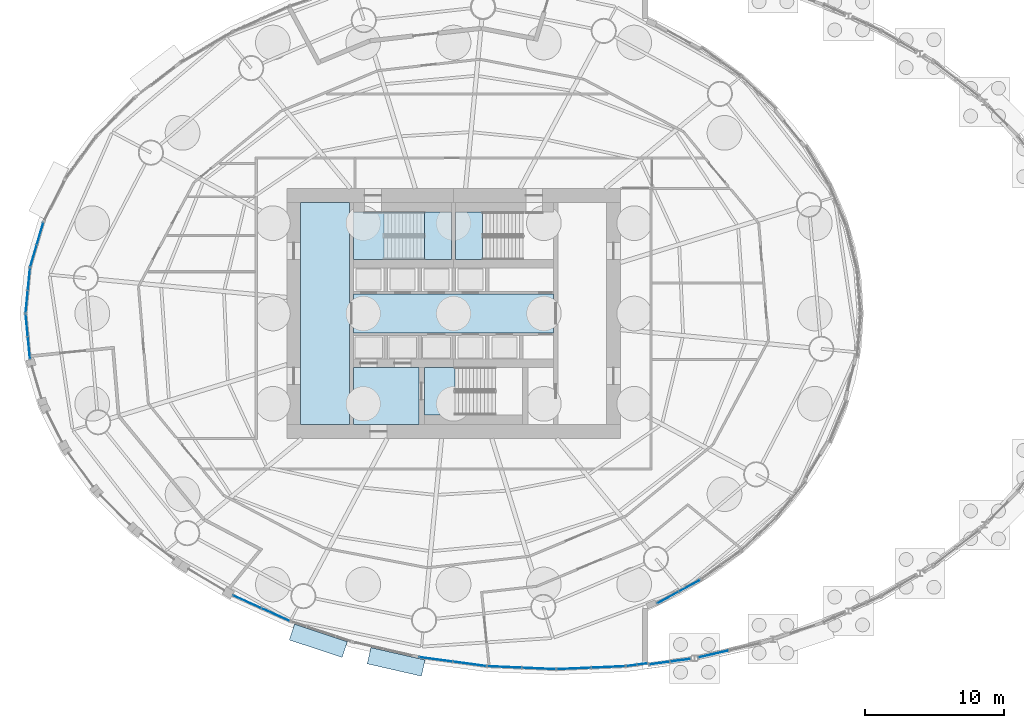
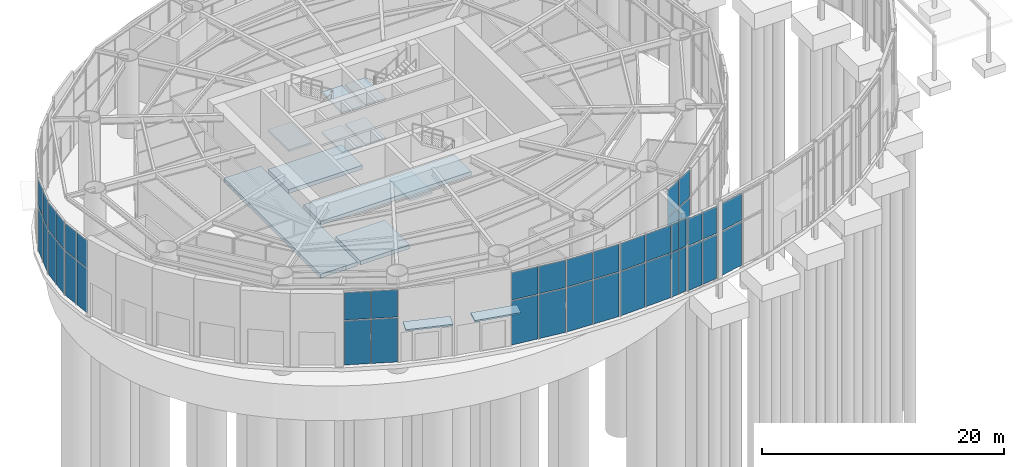
# One storey, part 15 of 27: 44 plates, 10 slabs, 14 elements without a shape of their own.
"""IFC4 building model written with IfcOpenShell, lengths in metres."""

from ifc_helpers import new_model, si_unit, direction, frame, origin, origin_2d, place, context, subcontext, project, spatial, polyline, rectangle, outline, extrude, material, layer, layer_set, type_object, element, aggregate, save


model = new_model("IFC4")

# Units and contexts
model_context = context("Model", 3, precision=1e-05, world=origin(), true_north=direction((0.0, 1.0)))
body_context = subcontext(model_context, "Body", "Model", "MODEL_VIEW")
ifc_project = project(units=[si_unit("LENGTHUNIT", "METRE"), si_unit("AREAUNIT", "SQUARE_METRE"), si_unit("VOLUMEUNIT", "CUBIC_METRE"), si_unit("PLANEANGLEUNIT", "RADIAN"), si_unit("MASSUNIT", "GRAM", prefix="KILO")], contexts=[model_context])

# Site, building, storey
site_placement = place(None, origin())
site = spatial("IfcSite", under=ifc_project, at=site_placement, CompositionType="ELEMENT")
building_placement = place(site_placement, origin())
building = spatial("IfcBuilding", under=site, at=building_placement, Name="Vermilion Reach Broadcast Tower", CompositionType="ELEMENT")
storey_placement = place(building_placement, origin())
storey = spatial("IfcBuildingStorey", under=building, at=storey_placement, Name="L00", CompositionType="ELEMENT", Elevation=0.0)

# Curtain wall, plates
ifc_material_1 = material(Name="Low-e laminated clear glass in aluminium frame", Category="aluminium")
curtain_wall_type_1 = type_object("IfcCurtainWallType", Name="Atrium outer wall curtain wall", PredefinedType="NOTDEFINED", material=ifc_material_1)
placement_1 = place(storey_placement, origin())
curtain_wall_1 = element("IfcCurtainWall", 1, at=placement_1, inside=storey, type_object=curtain_wall_type_1, Name="Atrium wall L00 01", PredefinedType="NOTDEFINED")
ifc_material_2 = material(Name="Low-e laminated clear glass", Category="glass")
ifc_layer_1 = layer(ifc_material_2, 0.035888671875)
ifc_layer_set_1 = layer_set([ifc_layer_1], Name="Atrium outer wall glass panel")
plate_type_1 = type_object("IfcPlateType", Name="Atrium outer wall glass panel", PredefinedType="CURTAIN_PANEL", material=ifc_layer_set_1)
plate_1_placement = place(storey_placement, frame((8.81591796875, -25.15673828125, 0.0), z_axis=(0.0, 0.0, 1.0), x_axis=(0.991143697753, 0.132793713723, 0.0)))
plate_1 = element("IfcPlate", 2, at=plate_1_placement, type_object=plate_type_1, Name="Atrium wall glass panel L00 01.1.1", PredefinedType="CURTAIN_PANEL", context=body_context, shape_type="SweptSolid", body=[
    extrude(rectangle(XDim=1.419921875, YDim=0.035888671875, at=origin_2d()), origin(), (0.0, 0.0, 1.0), 4.43994140625),
])
plate_2_placement = place(storey_placement, frame((8.81591796875, -25.15673828125, 4.56005859375), z_axis=(0.0, 0.0, 1.0), x_axis=(0.991143697753, 0.132793713723, 0.0)))
plate_2 = element("IfcPlate", 3, at=plate_2_placement, type_object=plate_type_1, Name="Atrium wall glass panel L00 01.1.2", PredefinedType="CURTAIN_PANEL", context=body_context, shape_type="SweptSolid", body=[
    extrude(rectangle(XDim=1.419921875, YDim=0.035888671875, at=origin_2d()), origin(), (0.0, 0.0, 1.0), 2.72998046875),
])
plate_3_placement = place(storey_placement, frame((10.322265625, -24.954833984375, 0.0), z_axis=(0.0, 0.0, 1.0), x_axis=(0.991143697753, 0.132793713723, 0.0)))
plate_3 = element("IfcPlate", 4, at=plate_3_placement, type_object=plate_type_1, Name="Atrium wall glass panel L00 01.2.1", PredefinedType="CURTAIN_PANEL", context=body_context, shape_type="SweptSolid", body=[
    extrude(rectangle(XDim=1.419921875, YDim=0.035888671875, at=origin_2d()), origin(), (0.0, 0.0, 1.0), 4.43994140625),
])
plate_4_placement = place(storey_placement, frame((10.322265625, -24.954833984375, 4.56005859375), z_axis=(0.0, 0.0, 1.0), x_axis=(0.991143697753, 0.132793713723, 0.0)))
plate_4 = element("IfcPlate", 5, at=plate_4_placement, type_object=plate_type_1, Name="Atrium wall glass panel L00 01.2.2", PredefinedType="CURTAIN_PANEL", context=body_context, shape_type="SweptSolid", body=[
    extrude(rectangle(XDim=1.419921875, YDim=0.035888671875, at=origin_2d()), origin(), (0.0, 0.0, 1.0), 2.72998046875),
])
aggregate(curtain_wall_1, [plate_1, plate_2, plate_3, plate_4])

curtain_wall_2 = element("IfcCurtainWall", 6, at=placement_1, inside=storey, type_object=curtain_wall_type_1, Name="Atrium wall L00 02", PredefinedType="NOTDEFINED")
plate_5_placement = place(storey_placement, frame((12.70654296875, -24.505859375, 0.0), z_axis=(0.0, 0.0, 1.0), x_axis=(0.974843253478, 0.222891523278, 0.0)))
plate_5 = element("IfcPlate", 7, at=plate_5_placement, type_object=plate_type_1, Name="Atrium wall glass panel L00 02.1.1", PredefinedType="CURTAIN_PANEL", context=body_context, shape_type="SweptSolid", body=[
    extrude(rectangle(XDim=2.18115234375, YDim=0.035888671875, at=origin_2d()), origin(), (0.0, 0.0, 1.0), 4.43994140625),
])
plate_6_placement = place(storey_placement, frame((12.70654296875, -24.505859375, 4.56005859375), z_axis=(0.0, 0.0, 1.0), x_axis=(0.974843253478, 0.222891523278, 0.0)))
plate_6 = element("IfcPlate", 8, at=plate_6_placement, type_object=plate_type_1, Name="Atrium wall glass panel L00 02.1.2", PredefinedType="CURTAIN_PANEL", context=body_context, shape_type="SweptSolid", body=[
    extrude(rectangle(XDim=2.18115234375, YDim=0.035888671875, at=origin_2d()), origin(), (0.0, 0.0, 1.0), 2.72998046875),
])
aggregate(curtain_wall_2, [plate_5, plate_6])

# Slabs
ifc_material_3 = material(Name="Concrete C40", Category="concrete")
ifc_layer_2 = layer(ifc_material_3, 0.39990234375)
ifc_layer_set_2 = layer_set([ifc_layer_2], Name="Core ground slab Concrete C40")
slab_type_1 = type_object("IfcSlabType", Name="Core ground slab Concrete C40", PredefinedType="BASESLAB", material=ifc_layer_set_2)
placement_2 = place(storey_placement, frame((0.0, 0.0, -0.39990234375)))
element("IfcSlab", 9, at=placement_2, inside=storey, type_object=slab_type_1, Name="L00 core floor 1", PredefinedType="BASESLAB", context=body_context, shape_type="SweptSolid", body=[
    extrude(outline(polyline([(-13.199951171875, -1.39990234375), (1.199951171875, -1.39990234375), (1.199951171875, 1.39990234375), (-13.199951171875, 1.39990234375), (-13.199951171875, -1.39990234375)])), origin(), (0.0, 0.0, 1.0), 0.39990234375),
])
element("IfcSlab", 10, at=placement_2, inside=storey, type_object=slab_type_1, Name="L00 core floor 2", PredefinedType="BASESLAB", context=body_context, shape_type="SweptSolid", body=[
    extrude(outline(polyline([(-17.0, -8.0), (-13.5, -8.0), (-13.5, 8.0), (-17.0, 8.0), (-17.0, -8.0)])), origin(), (0.0, 0.0, 1.0), 0.39990234375),
])
element("IfcSlab", 11, at=placement_2, inside=storey, type_object=slab_type_1, Name="L00 core floor 4", PredefinedType="BASESLAB", context=body_context, shape_type="SweptSolid", body=[
    extrude(outline(polyline([(-13.199951171875, -8.0), (-8.5, -8.0), (-8.5, -3.8798828125), (-13.199951171875, -3.8798828125), (-13.199951171875, -8.0)])), origin(), (0.0, 0.0, 1.0), 0.39990234375),
])
element("IfcSlab", 12, at=placement_2, inside=storey, type_object=slab_type_1, Name="L00 core floor 8", PredefinedType="BASESLAB", context=body_context, shape_type="SweptSolid", body=[
    extrude(outline(polyline([(-13.199951171875, 3.8798828125), (-6.14990234375, 3.8798828125), (-6.14990234375, 7.300048828125), (-13.199951171875, 7.300048828125), (-13.199951171875, 3.8798828125)])), origin(), (0.0, 0.0, 1.0), 0.39990234375),
])

# Curtain wall, plates
ifc_material_4 = material(Name="Low-e laminated clear glass in aluminium frame", Category="aluminium")
curtain_wall_type_2 = type_object("IfcCurtainWallType", Name="Drum wall curtain wall", PredefinedType="NOTDEFINED", material=ifc_material_4)
curtain_wall_3 = element("IfcCurtainWall", 13, at=placement_1, inside=storey, type_object=curtain_wall_type_2, Name="Drum wall L00 04", PredefinedType="NOTDEFINED")
ifc_material_5 = material(Name="Low-e laminated clear glass", Category="glass")
ifc_layer_3 = layer(ifc_material_5, 0.031982421875)
ifc_layer_set_3 = layer_set([ifc_layer_3], Name="Drum wall glass panel")
plate_type_2 = type_object("IfcPlateType", Name="Drum wall glass panel", PredefinedType="CURTAIN_PANEL", material=ifc_layer_set_3)
plate_7_placement = place(storey_placement, frame((10.984619140625, -19.591796875, 0.0), z_axis=(0.0, 0.0, 1.0), x_axis=(-0.87712110117, -0.480269272265, 0.0)))
plate_7 = element("IfcPlate", 14, at=plate_7_placement, type_object=plate_type_2, Name="Drum wall glass panel L00 04.1.1", PredefinedType="CURTAIN_PANEL", context=body_context, shape_type="SweptSolid", body=[
    extrude(rectangle(XDim=1.6953125, YDim=0.031982421875, at=origin_2d()), origin(), (0.0, 0.0, 1.0), 4.449951171875),
])
plate_8_placement = place(storey_placement, frame((10.984619140625, -19.591796875, 4.550048828125), z_axis=(0.0, 0.0, 1.0), x_axis=(-0.87712110117, -0.480269272265, 0.0)))
plate_8 = element("IfcPlate", 15, at=plate_8_placement, type_object=plate_type_2, Name="Drum wall glass panel L00 04.1.2", PredefinedType="CURTAIN_PANEL", context=body_context, shape_type="SweptSolid", body=[
    extrude(rectangle(XDim=1.6953125, YDim=0.031982421875, at=origin_2d()), origin(), (0.0, 0.0, 1.0), 2.75),
])
plate_9_placement = place(storey_placement, frame((9.427490234375, -20.444580078125, 0.0), z_axis=(0.0, 0.0, 1.0), x_axis=(-0.87712110117, -0.480269272265, 0.0)))
plate_9 = element("IfcPlate", 16, at=plate_9_placement, type_object=plate_type_2, Name="Drum wall glass panel L00 04.2.1", PredefinedType="CURTAIN_PANEL", context=body_context, shape_type="SweptSolid", body=[
    extrude(rectangle(XDim=1.6953125, YDim=0.031982421875, at=origin_2d()), origin(), (0.0, 0.0, 1.0), 4.449951171875),
])
plate_10_placement = place(storey_placement, frame((9.427490234375, -20.444580078125, 4.550048828125), z_axis=(0.0, 0.0, 1.0), x_axis=(-0.87712110117, -0.480269272265, 0.0)))
plate_10 = element("IfcPlate", 17, at=plate_10_placement, type_object=plate_type_2, Name="Drum wall glass panel L00 04.2.2", PredefinedType="CURTAIN_PANEL", context=body_context, shape_type="SweptSolid", body=[
    extrude(rectangle(XDim=1.6953125, YDim=0.031982421875, at=origin_2d()), origin(), (0.0, 0.0, 1.0), 2.75),
])
aggregate(curtain_wall_3, [plate_7, plate_8, plate_9, plate_10])

# Plates
ifc_material_6 = material(Name="Laminated glass canopy", Category="glass")
ifc_layer_4 = layer(ifc_material_6, 0.14990234375)
ifc_layer_set_4 = layer_set([ifc_layer_4], Name="Entrance canopy 150")
plate_type_3 = type_object("IfcPlateType", Name="Entrance canopy 150", PredefinedType="SHEET", material=ifc_layer_set_4)
for number, where, z_axis, x_axis, name in (
    (18, (-15.730224609375, -23.553955078125, 3.925048828125), (0.0, 0.0, 1.0), (-0.949015935462, 0.315228098746, 0.0), "Entrance canopy str22"),
    (19, (-10.1298828125, -25.0703125, 3.925048828125), (0.0, 0.0, 1.0), (-0.974843253478, 0.222891523278, 0.0), "Entrance canopy str23"),
):
    element("IfcPlate", number, at=place(storey_placement, frame(where, z_axis=z_axis, x_axis=x_axis)), inside=storey, type_object=plate_type_3, Name=name, PredefinedType="SHEET", context=body_context, shape_type="SweptSolid", body=[
        extrude(rectangle(XDim=4.0, YDim=1.199951171875, at=origin_2d()), origin(), (0.0, 0.0, 1.0), 0.14990234375),
    ])

# Stair, slabs
ifc_material_7 = material(Name="Concrete C40", Category="concrete")
stair_type = type_object("IfcStairType", Name="Exit stair RC 48 risers 167 mm", PredefinedType="HALF_TURN_STAIR", material=ifc_material_7)
stair_1 = element("IfcStair", 20, at=placement_1, inside=storey, type_object=stair_type, Name="L00 Exit stair ST1", PredefinedType="HALF_TURN_STAIR")
ifc_material_8 = material(Name="Concrete C40", Category="concrete")
ifc_layer_5 = layer(ifc_material_8, 0.199951171875)
ifc_layer_set_5 = layer_set([ifc_layer_5], Name="Exit stair landing Concrete C40")
slab_type_2 = type_object("IfcSlabType", Name="Exit stair landing Concrete C40", PredefinedType="LANDING", material=ifc_layer_set_5)
placement_3 = place(storey_placement, frame((0.0, 0.0, 1.800048828125)))
slab_5 = element("IfcSlab", 21, at=placement_3, type_object=slab_type_2, Name="ST1 landing 1", PredefinedType="LANDING", context=body_context, shape_type="SweptSolid", body=[
    extrude(outline(polyline([(-8.0849609375, 3.8798828125), (-6.14990234375, 3.8798828125), (-6.14990234375, 7.300048828125), (-8.0849609375, 7.300048828125), (-8.0849609375, 3.8798828125)])), origin(), (0.0, 0.0, 1.0), 0.199951171875),
])
placement_4 = place(storey_placement, frame((0.0, 0.0, 3.800048828125)))
slab_6 = element("IfcSlab", 22, at=placement_4, type_object=slab_type_2, Name="ST1 landing 2", PredefinedType="LANDING", context=body_context, shape_type="SweptSolid", body=[
    extrude(outline(polyline([(-13.199951171875, 3.8798828125), (-11.0, 3.8798828125), (-11.0, 7.300048828125), (-13.199951171875, 7.300048828125), (-13.199951171875, 3.8798828125)])), origin(), (0.0, 0.0, 1.0), 0.199951171875),
])
placement_5 = place(storey_placement, frame((0.0, 0.0, 5.800048828125)))
slab_7 = element("IfcSlab", 23, at=placement_5, type_object=slab_type_2, Name="ST1 landing 3", PredefinedType="LANDING", context=body_context, shape_type="SweptSolid", body=[
    extrude(outline(polyline([(-8.0849609375, 3.8798828125), (-6.14990234375, 3.8798828125), (-6.14990234375, 7.300048828125), (-8.0849609375, 7.300048828125), (-8.0849609375, 3.8798828125)])), origin(), (0.0, 0.0, 1.0), 0.199951171875),
])
aggregate(stair_1, [slab_5, slab_6, slab_7])

stair_2 = element("IfcStair", 24, at=placement_1, inside=storey, type_object=stair_type, Name="L00 Exit stair ST2", PredefinedType="HALF_TURN_STAIR")
slab_8 = element("IfcSlab", 25, at=placement_3, type_object=slab_type_2, Name="ST2 landing 1", PredefinedType="LANDING", context=body_context, shape_type="SweptSolid", body=[
    extrude(outline(polyline([(-3.9150390625, 7.300048828125), (-5.85009765625, 7.300048828125), (-5.85009765625, 3.8798828125), (-3.9150390625, 3.8798828125), (-3.9150390625, 7.300048828125)])), origin(), (0.0, 0.0, 1.0), 0.199951171875),
])
slab_9 = element("IfcSlab", 26, at=placement_5, type_object=slab_type_2, Name="ST2 landing 3", PredefinedType="LANDING", context=body_context, shape_type="SweptSolid", body=[
    extrude(outline(polyline([(-3.9150390625, 7.300048828125), (-5.85009765625, 7.300048828125), (-5.85009765625, 3.8798828125), (-3.9150390625, 3.8798828125), (-3.9150390625, 7.300048828125)])), origin(), (0.0, 0.0, 1.0), 0.199951171875),
])
aggregate(stair_2, [slab_8, slab_9])

# Stair, slab
stair_3 = element("IfcStair", 27, at=placement_1, inside=storey, type_object=stair_type, Name="L00 Exit stair ST3", PredefinedType="HALF_TURN_STAIR")
slab_10 = element("IfcSlab", 28, at=placement_4, type_object=slab_type_2, Name="ST3 landing 2", PredefinedType="LANDING", context=body_context, shape_type="SweptSolid", body=[
    extrude(outline(polyline([(-8.10009765625, -7.300048828125), (-5.89990234375, -7.300048828125), (-5.89990234375, -3.8798828125), (-8.10009765625, -3.8798828125), (-8.10009765625, -7.300048828125)])), origin(), (0.0, 0.0, 1.0), 0.199951171875),
])
aggregate(stair_3, [slab_10])

# Curtain wall, plates
ifc_material_9 = material(Name="Low-e laminated clear glass in aluminium frame", Category="aluminium")
curtain_wall_type_3 = type_object("IfcCurtainWallType", Name="Street frontage curtain wall", PredefinedType="NOTDEFINED", material=ifc_material_9)
curtain_wall_4 = element("IfcCurtainWall", 29, at=placement_1, inside=storey, type_object=curtain_wall_type_3, Name="Street frontage L00 01", PredefinedType="NOTDEFINED")
ifc_material_10 = material(Name="Low-e laminated clear glass", Category="glass")
ifc_layer_6 = layer(ifc_material_10, 0.028076171875)
ifc_layer_set_6 = layer_set([ifc_layer_6], Name="Street frontage glass panel")
plate_type_4 = type_object("IfcPlateType", Name="Street frontage glass panel", PredefinedType="CURTAIN_PANEL", material=ifc_layer_set_6)
plate_11_placement = place(storey_placement, frame((-35.759033203125, 5.74853515625, 0.0), z_axis=(0.0, 0.0, 1.0), x_axis=(-0.283245086397, -0.959047559317, 0.0)))
plate_11 = element("IfcPlate", 30, at=plate_11_placement, type_object=plate_type_4, Name="Street frontage glass panel L00 01.1.1", PredefinedType="CURTAIN_PANEL", context=body_context, shape_type="SweptSolid", body=[
    extrude(rectangle(XDim=1.596923828125, YDim=0.028076171875, at=origin_2d()), origin(), (0.0, 0.0, 1.0), 4.455078125),
])
plate_12_placement = place(storey_placement, frame((-35.759033203125, 5.74853515625, 4.544921875), z_axis=(0.0, 0.0, 1.0), x_axis=(-0.283245086397, -0.959047559317, 0.0)))
plate_12 = element("IfcPlate", 31, at=plate_12_placement, type_object=plate_type_4, Name="Street frontage glass panel L00 01.1.2", PredefinedType="CURTAIN_PANEL", context=body_context, shape_type="SweptSolid", body=[
    extrude(rectangle(XDim=1.596923828125, YDim=0.028076171875, at=origin_2d()), origin(), (0.0, 0.0, 1.0), 2.764892578125),
])
plate_13_placement = place(storey_placement, frame((-36.231201171875, 4.14990234375, 0.0), z_axis=(0.0, 0.0, 1.0), x_axis=(-0.283245086397, -0.959047559317, 0.0)))
plate_13 = element("IfcPlate", 32, at=plate_13_placement, type_object=plate_type_4, Name="Street frontage glass panel L00 01.2.1", PredefinedType="CURTAIN_PANEL", context=body_context, shape_type="SweptSolid", body=[
    extrude(rectangle(XDim=1.596923828125, YDim=0.028076171875, at=origin_2d()), origin(), (0.0, 0.0, 1.0), 4.455078125),
])
plate_14_placement = place(storey_placement, frame((-36.231201171875, 4.14990234375, 4.544921875), z_axis=(0.0, 0.0, 1.0), x_axis=(-0.283245086397, -0.959047559317, 0.0)))
plate_14 = element("IfcPlate", 33, at=plate_14_placement, type_object=plate_type_4, Name="Street frontage glass panel L00 01.2.2", PredefinedType="CURTAIN_PANEL", context=body_context, shape_type="SweptSolid", body=[
    extrude(rectangle(XDim=1.596923828125, YDim=0.028076171875, at=origin_2d()), origin(), (0.0, 0.0, 1.0), 2.764892578125),
])
aggregate(curtain_wall_4, [plate_11, plate_12, plate_13, plate_14])

curtain_wall_5 = element("IfcCurtainWall", 34, at=placement_1, inside=storey, type_object=curtain_wall_type_3, Name="Street frontage L00 02", PredefinedType="NOTDEFINED")
plate_15_placement = place(storey_placement, frame((-36.5595703125, 2.47021484375, 0.0), z_axis=(0.0, 0.0, 1.0), x_axis=(-0.096860665643, -0.995297951094, 0.0)))
plate_15 = element("IfcPlate", 35, at=plate_15_placement, type_object=plate_type_4, Name="Street frontage glass panel L00 02.1.1", PredefinedType="CURTAIN_PANEL", context=body_context, shape_type="SweptSolid", body=[
    extrude(rectangle(XDim=1.561279296875, YDim=0.028076171875, at=origin_2d()), origin(), (0.0, 0.0, 1.0), 4.455078125),
])
plate_16_placement = place(storey_placement, frame((-36.5595703125, 2.47021484375, 4.544921875), z_axis=(0.0, 0.0, 1.0), x_axis=(-0.096860665643, -0.995297951094, 0.0)))
plate_16 = element("IfcPlate", 36, at=plate_16_placement, type_object=plate_type_4, Name="Street frontage glass panel L00 02.1.2", PredefinedType="CURTAIN_PANEL", context=body_context, shape_type="SweptSolid", body=[
    extrude(rectangle(XDim=1.561279296875, YDim=0.028076171875, at=origin_2d()), origin(), (0.0, 0.0, 1.0), 2.764892578125),
])
plate_17_placement = place(storey_placement, frame((-36.717529296875, 0.8466796875, 0.0), z_axis=(0.0, 0.0, 1.0), x_axis=(-0.096860665643, -0.995297951094, 0.0)))
plate_17 = element("IfcPlate", 37, at=plate_17_placement, type_object=plate_type_4, Name="Street frontage glass panel L00 02.2.1", PredefinedType="CURTAIN_PANEL", context=body_context, shape_type="SweptSolid", body=[
    extrude(rectangle(XDim=1.561279296875, YDim=0.028076171875, at=origin_2d()), origin(), (0.0, 0.0, 1.0), 4.455078125),
])
plate_18_placement = place(storey_placement, frame((-36.717529296875, 0.8466796875, 4.544921875), z_axis=(0.0, 0.0, 1.0), x_axis=(-0.096860665643, -0.995297951094, 0.0)))
plate_18 = element("IfcPlate", 38, at=plate_18_placement, type_object=plate_type_4, Name="Street frontage glass panel L00 02.2.2", PredefinedType="CURTAIN_PANEL", context=body_context, shape_type="SweptSolid", body=[
    extrude(rectangle(XDim=1.561279296875, YDim=0.028076171875, at=origin_2d()), origin(), (0.0, 0.0, 1.0), 2.764892578125),
])
aggregate(curtain_wall_5, [plate_15, plate_16, plate_17, plate_18])

curtain_wall_6 = element("IfcCurtainWall", 39, at=placement_1, inside=storey, type_object=curtain_wall_type_3, Name="Street frontage L00 03", PredefinedType="NOTDEFINED")
plate_19_placement = place(storey_placement, frame((-36.717529296875, -0.8466796875, 0.0), z_axis=(0.0, 0.0, 1.0), x_axis=(0.096860665643, -0.995297951094, 0.0)))
plate_19 = element("IfcPlate", 40, at=plate_19_placement, type_object=plate_type_4, Name="Street frontage glass panel L00 03.1.1", PredefinedType="CURTAIN_PANEL", context=body_context, shape_type="SweptSolid", body=[
    extrude(rectangle(XDim=1.561279296875, YDim=0.028076171875, at=origin_2d()), origin(), (0.0, 0.0, 1.0), 4.455078125),
])
plate_20_placement = place(storey_placement, frame((-36.717529296875, -0.8466796875, 4.544921875), z_axis=(0.0, 0.0, 1.0), x_axis=(0.096860665643, -0.995297951094, 0.0)))
plate_20 = element("IfcPlate", 41, at=plate_20_placement, type_object=plate_type_4, Name="Street frontage glass panel L00 03.1.2", PredefinedType="CURTAIN_PANEL", context=body_context, shape_type="SweptSolid", body=[
    extrude(rectangle(XDim=1.561279296875, YDim=0.028076171875, at=origin_2d()), origin(), (0.0, 0.0, 1.0), 2.764892578125),
])
plate_21_placement = place(storey_placement, frame((-36.5595703125, -2.47021484375, 0.0), z_axis=(0.0, 0.0, 1.0), x_axis=(0.096860665643, -0.995297951094, 0.0)))
plate_21 = element("IfcPlate", 42, at=plate_21_placement, type_object=plate_type_4, Name="Street frontage glass panel L00 03.2.1", PredefinedType="CURTAIN_PANEL", context=body_context, shape_type="SweptSolid", body=[
    extrude(rectangle(XDim=1.561279296875, YDim=0.028076171875, at=origin_2d()), origin(), (0.0, 0.0, 1.0), 4.455078125),
])
plate_22_placement = place(storey_placement, frame((-36.5595703125, -2.47021484375, 4.544921875), z_axis=(0.0, 0.0, 1.0), x_axis=(0.096860665643, -0.995297951094, 0.0)))
plate_22 = element("IfcPlate", 43, at=plate_22_placement, type_object=plate_type_4, Name="Street frontage glass panel L00 03.2.2", PredefinedType="CURTAIN_PANEL", context=body_context, shape_type="SweptSolid", body=[
    extrude(rectangle(XDim=1.561279296875, YDim=0.028076171875, at=origin_2d()), origin(), (0.0, 0.0, 1.0), 2.764892578125),
])
aggregate(curtain_wall_6, [plate_19, plate_20, plate_21, plate_22])

curtain_wall_7 = element("IfcCurtainWall", 44, at=placement_1, inside=storey, type_object=curtain_wall_type_3, Name="Street frontage L00 01", PredefinedType="NOTDEFINED")
plate_23_placement = place(storey_placement, frame((-20.858642578125, -20.7470703125, 0.0), z_axis=(0.0, 0.0, 1.0), x_axis=(0.911902064418, -0.410407876277, 0.0)))
plate_23 = element("IfcPlate", 45, at=plate_23_placement, type_object=plate_type_4, Name="Street frontage glass panel L00 01.1.1", PredefinedType="CURTAIN_PANEL", context=body_context, shape_type="SweptSolid", body=[
    extrude(rectangle(XDim=2.17578125, YDim=0.028076171875, at=origin_2d()), origin(), (0.0, 0.0, 1.0), 4.455078125),
])
plate_24_placement = place(storey_placement, frame((-20.858642578125, -20.7470703125, 4.544921875), z_axis=(0.0, 0.0, 1.0), x_axis=(0.911902064418, -0.410407876277, 0.0)))
plate_24 = element("IfcPlate", 46, at=plate_24_placement, type_object=plate_type_4, Name="Street frontage glass panel L00 01.1.2", PredefinedType="CURTAIN_PANEL", context=body_context, shape_type="SweptSolid", body=[
    extrude(rectangle(XDim=2.17578125, YDim=0.028076171875, at=origin_2d()), origin(), (0.0, 0.0, 1.0), 2.764892578125),
])
plate_25_placement = place(storey_placement, frame((-18.810791015625, -21.668701171875, 0.0), z_axis=(0.0, 0.0, 1.0), x_axis=(0.911902064418, -0.410407876277, 0.0)))
plate_25 = element("IfcPlate", 47, at=plate_25_placement, type_object=plate_type_4, Name="Street frontage glass panel L00 01.2.1", PredefinedType="CURTAIN_PANEL", context=body_context, shape_type="SweptSolid", body=[
    extrude(rectangle(XDim=2.17578125, YDim=0.028076171875, at=origin_2d()), origin(), (0.0, 0.0, 1.0), 4.455078125),
])
plate_26_placement = place(storey_placement, frame((-18.810791015625, -21.668701171875, 4.544921875), z_axis=(0.0, 0.0, 1.0), x_axis=(0.911902064418, -0.410407876277, 0.0)))
plate_26 = element("IfcPlate", 48, at=plate_26_placement, type_object=plate_type_4, Name="Street frontage glass panel L00 01.2.2", PredefinedType="CURTAIN_PANEL", context=body_context, shape_type="SweptSolid", body=[
    extrude(rectangle(XDim=2.17578125, YDim=0.028076171875, at=origin_2d()), origin(), (0.0, 0.0, 1.0), 2.764892578125),
])
aggregate(curtain_wall_7, [plate_23, plate_24, plate_25, plate_26])

curtain_wall_8 = element("IfcCurtainWall", 49, at=placement_1, inside=storey, type_object=curtain_wall_type_3, Name="Street frontage L00 01", PredefinedType="NOTDEFINED")
plate_27_placement = place(storey_placement, frame((-7.27294921875, -24.887451171875, 0.0), z_axis=(0.0, 0.0, 1.0), x_axis=(0.991143706417, -0.13279364906, 0.0)))
plate_27 = element("IfcPlate", 50, at=plate_27_placement, type_object=plate_type_4, Name="Street frontage glass panel L00 01.1.1", PredefinedType="CURTAIN_PANEL", context=body_context, shape_type="SweptSolid", body=[
    extrude(rectangle(XDim=2.375244140625, YDim=0.028076171875, at=origin_2d()), origin(), (0.0, 0.0, 1.0), 4.455078125),
])
plate_28_placement = place(storey_placement, frame((-7.27294921875, -24.887451171875, 4.544921875), z_axis=(0.0, 0.0, 1.0), x_axis=(0.991143706417, -0.13279364906, 0.0)))
plate_28 = element("IfcPlate", 51, at=plate_28_placement, type_object=plate_type_4, Name="Street frontage glass panel L00 01.1.2", PredefinedType="CURTAIN_PANEL", context=body_context, shape_type="SweptSolid", body=[
    extrude(rectangle(XDim=2.375244140625, YDim=0.028076171875, at=origin_2d()), origin(), (0.0, 0.0, 1.0), 2.764892578125),
])
plate_29_placement = place(storey_placement, frame((-4.849365234375, -25.212158203125, 0.0), z_axis=(0.0, 0.0, 1.0), x_axis=(0.991143706417, -0.13279364906, 0.0)))
plate_29 = element("IfcPlate", 52, at=plate_29_placement, type_object=plate_type_4, Name="Street frontage glass panel L00 01.2.1", PredefinedType="CURTAIN_PANEL", context=body_context, shape_type="SweptSolid", body=[
    extrude(rectangle(XDim=2.375244140625, YDim=0.028076171875, at=origin_2d()), origin(), (0.0, 0.0, 1.0), 4.455078125),
])
plate_30_placement = place(storey_placement, frame((-4.849365234375, -25.212158203125, 4.544921875), z_axis=(0.0, 0.0, 1.0), x_axis=(0.991143706417, -0.13279364906, 0.0)))
plate_30 = element("IfcPlate", 53, at=plate_30_placement, type_object=plate_type_4, Name="Street frontage glass panel L00 01.2.2", PredefinedType="CURTAIN_PANEL", context=body_context, shape_type="SweptSolid", body=[
    extrude(rectangle(XDim=2.375244140625, YDim=0.028076171875, at=origin_2d()), origin(), (0.0, 0.0, 1.0), 2.764892578125),
])
aggregate(curtain_wall_8, [plate_27, plate_28, plate_29, plate_30])

curtain_wall_9 = element("IfcCurtainWall", 54, at=placement_1, inside=storey, type_object=curtain_wall_type_3, Name="Street frontage L00 02", PredefinedType="NOTDEFINED")
plate_31_placement = place(storey_placement, frame((-2.334716796875, -25.43505859375, 0.0), z_axis=(0.0, 0.0, 1.0), x_axis=(0.999026912627, -0.044104737232, 0.0)))
plate_31 = element("IfcPlate", 55, at=plate_31_placement, type_object=plate_type_4, Name="Street frontage glass panel L00 02.1.1", PredefinedType="CURTAIN_PANEL", context=body_context, shape_type="SweptSolid", body=[
    extrude(rectangle(XDim=2.39892578125, YDim=0.028076171875, at=origin_2d()), origin(), (0.0, 0.0, 1.0), 4.455078125),
])
plate_32_placement = place(storey_placement, frame((-2.334716796875, -25.43505859375, 4.544921875), z_axis=(0.0, 0.0, 1.0), x_axis=(0.999026912627, -0.044104737232, 0.0)))
plate_32 = element("IfcPlate", 56, at=plate_32_placement, type_object=plate_type_4, Name="Street frontage glass panel L00 02.1.2", PredefinedType="CURTAIN_PANEL", context=body_context, shape_type="SweptSolid", body=[
    extrude(rectangle(XDim=2.39892578125, YDim=0.028076171875, at=origin_2d()), origin(), (0.0, 0.0, 1.0), 2.764892578125),
])
plate_33_placement = place(storey_placement, frame((0.1318359375, -25.5439453125, 0.0), z_axis=(0.0, 0.0, 1.0), x_axis=(0.999026912627, -0.044104737232, 0.0)))
plate_33 = element("IfcPlate", 57, at=plate_33_placement, type_object=plate_type_4, Name="Street frontage glass panel L00 02.2.1", PredefinedType="CURTAIN_PANEL", context=body_context, shape_type="SweptSolid", body=[
    extrude(rectangle(XDim=2.39892578125, YDim=0.028076171875, at=origin_2d()), origin(), (0.0, 0.0, 1.0), 4.455078125),
])
plate_34_placement = place(storey_placement, frame((0.1318359375, -25.5439453125, 4.544921875), z_axis=(0.0, 0.0, 1.0), x_axis=(0.999026912627, -0.044104737232, 0.0)))
plate_34 = element("IfcPlate", 58, at=plate_34_placement, type_object=plate_type_4, Name="Street frontage glass panel L00 02.2.2", PredefinedType="CURTAIN_PANEL", context=body_context, shape_type="SweptSolid", body=[
    extrude(rectangle(XDim=2.39892578125, YDim=0.028076171875, at=origin_2d()), origin(), (0.0, 0.0, 1.0), 2.764892578125),
])
aggregate(curtain_wall_9, [plate_31, plate_32, plate_33, plate_34])

curtain_wall_10 = element("IfcCurtainWall", 59, at=placement_1, inside=storey, type_object=curtain_wall_type_3, Name="Street frontage L00 03", PredefinedType="NOTDEFINED")
plate_35_placement = place(storey_placement, frame((2.668212890625, -25.5439453125, 0.0), z_axis=(0.0, 0.0, 1.0), x_axis=(0.999026912627, 0.044104737232, 0.0)))
plate_35 = element("IfcPlate", 60, at=plate_35_placement, type_object=plate_type_4, Name="Street frontage glass panel L00 03.1.1", PredefinedType="CURTAIN_PANEL", context=body_context, shape_type="SweptSolid", body=[
    extrude(rectangle(XDim=2.39892578125, YDim=0.028076171875, at=origin_2d()), origin(), (0.0, 0.0, 1.0), 4.455078125),
])
plate_36_placement = place(storey_placement, frame((2.668212890625, -25.5439453125, 4.544921875), z_axis=(0.0, 0.0, 1.0), x_axis=(0.999026912627, 0.044104737232, 0.0)))
plate_36 = element("IfcPlate", 61, at=plate_36_placement, type_object=plate_type_4, Name="Street frontage glass panel L00 03.1.2", PredefinedType="CURTAIN_PANEL", context=body_context, shape_type="SweptSolid", body=[
    extrude(rectangle(XDim=2.39892578125, YDim=0.028076171875, at=origin_2d()), origin(), (0.0, 0.0, 1.0), 2.764892578125),
])
plate_37_placement = place(storey_placement, frame((5.134765625, -25.43505859375, 0.0), z_axis=(0.0, 0.0, 1.0), x_axis=(0.999026912627, 0.044104737232, 0.0)))
plate_37 = element("IfcPlate", 62, at=plate_37_placement, type_object=plate_type_4, Name="Street frontage glass panel L00 03.2.1", PredefinedType="CURTAIN_PANEL", context=body_context, shape_type="SweptSolid", body=[
    extrude(rectangle(XDim=2.39892578125, YDim=0.028076171875, at=origin_2d()), origin(), (0.0, 0.0, 1.0), 4.455078125),
])
plate_38_placement = place(storey_placement, frame((5.134765625, -25.43505859375, 4.544921875), z_axis=(0.0, 0.0, 1.0), x_axis=(0.999026912627, 0.044104737232, 0.0)))
plate_38 = element("IfcPlate", 63, at=plate_38_placement, type_object=plate_type_4, Name="Street frontage glass panel L00 03.2.2", PredefinedType="CURTAIN_PANEL", context=body_context, shape_type="SweptSolid", body=[
    extrude(rectangle(XDim=2.39892578125, YDim=0.028076171875, at=origin_2d()), origin(), (0.0, 0.0, 1.0), 2.764892578125),
])
aggregate(curtain_wall_10, [plate_35, plate_36, plate_37, plate_38])

curtain_wall_11 = element("IfcCurtainWall", 64, at=placement_1, inside=storey, type_object=curtain_wall_type_3, Name="Street frontage L00 04", PredefinedType="NOTDEFINED")
plate_39_placement = place(storey_placement, frame((6.819580078125, -25.3232421875, 0.0), z_axis=(0.0, 0.0, 1.0), x_axis=(0.991143724425, 0.132793514649, 0.0)))
plate_39 = element("IfcPlate", 65, at=plate_39_placement, type_object=plate_type_4, Name="Street frontage glass panel L00 04.1.1", PredefinedType="CURTAIN_PANEL", context=body_context, shape_type="SweptSolid", body=[
    extrude(rectangle(XDim=0.70068359375, YDim=0.028076171875, at=origin_2d()), origin(), (0.0, 0.0, 1.0), 4.455078125),
])
plate_40_placement = place(storey_placement, frame((6.819580078125, -25.3232421875, 4.544921875), z_axis=(0.0, 0.0, 1.0), x_axis=(0.991143724425, 0.132793514649, 0.0)))
plate_40 = element("IfcPlate", 66, at=plate_40_placement, type_object=plate_type_4, Name="Street frontage glass panel L00 04.1.2", PredefinedType="CURTAIN_PANEL", context=body_context, shape_type="SweptSolid", body=[
    extrude(rectangle(XDim=0.70068359375, YDim=0.028076171875, at=origin_2d()), origin(), (0.0, 0.0, 1.0), 2.764892578125),
])
plate_41_placement = place(storey_placement, frame((7.58349609375, -25.220947265625, 0.0), z_axis=(0.0, 0.0, 1.0), x_axis=(0.991143724425, 0.132793514649, 0.0)))
plate_41 = element("IfcPlate", 67, at=plate_41_placement, type_object=plate_type_4, Name="Street frontage glass panel L00 04.2.1", PredefinedType="CURTAIN_PANEL", context=body_context, shape_type="SweptSolid", body=[
    extrude(rectangle(XDim=0.70068359375, YDim=0.028076171875, at=origin_2d()), origin(), (0.0, 0.0, 1.0), 4.455078125),
])
plate_42_placement = place(storey_placement, frame((7.58349609375, -25.220947265625, 4.544921875), z_axis=(0.0, 0.0, 1.0), x_axis=(0.991143724425, 0.132793514649, 0.0)))
plate_42 = element("IfcPlate", 68, at=plate_42_placement, type_object=plate_type_4, Name="Street frontage glass panel L00 04.2.2", PredefinedType="CURTAIN_PANEL", context=body_context, shape_type="SweptSolid", body=[
    extrude(rectangle(XDim=0.70068359375, YDim=0.028076171875, at=origin_2d()), origin(), (0.0, 0.0, 1.0), 2.764892578125),
])
aggregate(curtain_wall_11, [plate_39, plate_40, plate_41, plate_42])

save(model, "model.ifc")
